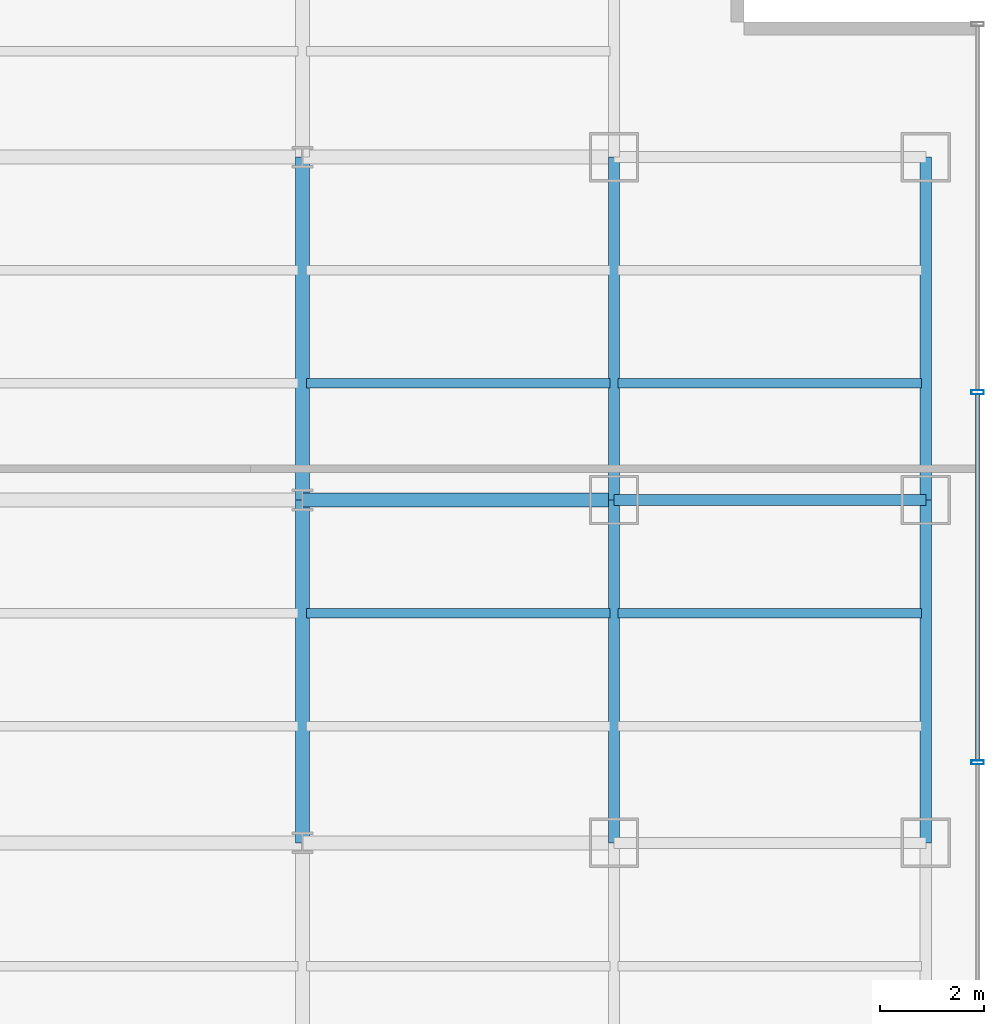
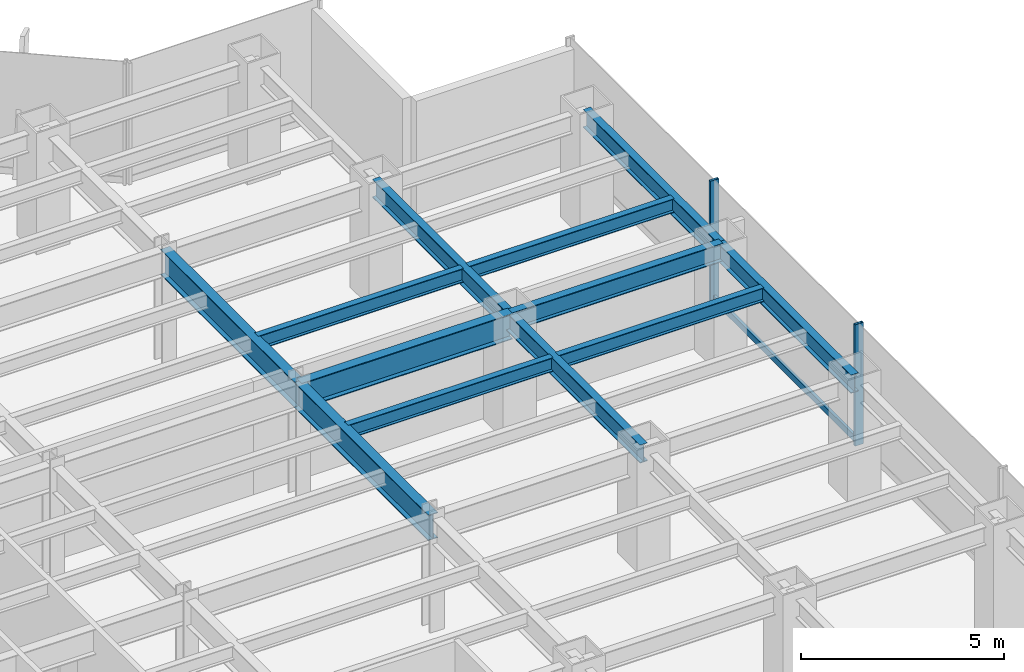
# One storey, part 9 of 22: 12 beams, 3 members, 1 element without a shape of its own.
"""IFC4 building model written with IfcOpenShell, lengths in metres."""

from ifc_helpers import new_model, si_unit, derived_unit, direction, frame, origin, origin_2d, place, context, subcontext, project, spatial, hollow_rectangle, i_section, extrude, source, transform, mapped, material, material_profile, profile_set, type_object, element, aggregate, save


model = new_model("IFC4")

# Units and contexts
model_context = context("Model", 3, precision=1e-05, world=origin(), true_north=direction((0.0, 1.0)))
body_context = subcontext(model_context, "Body", "Model", "MODEL_VIEW")
ifc_project = project(units=[si_unit("LENGTHUNIT", "METRE"), si_unit("AREAUNIT", "SQUARE_METRE"), si_unit("VOLUMEUNIT", "CUBIC_METRE"), si_unit("PLANEANGLEUNIT", "RADIAN"), si_unit("MASSUNIT", "GRAM", prefix="KILO"), derived_unit("THERMALTRANSMITTANCEUNIT", [(si_unit("POWERUNIT", "WATT"), 1), (si_unit("LENGTHUNIT", "METRE"), -2), (si_unit("THERMODYNAMICTEMPERATUREUNIT", "KELVIN"), -1)])], contexts=[model_context])

# Site, building, storey
site_placement = place(None, origin())
site = spatial("IfcSite", under=ifc_project, at=site_placement, CompositionType="ELEMENT")
building_placement = place(site_placement, origin())
building = spatial("IfcBuilding", under=site, at=building_placement, Name="Skarnbrae Concourse Arena and Tower", CompositionType="ELEMENT")
storey_placement = place(building_placement, frame((0.0, 0.0, 36.14990234375)))
storey = spatial("IfcBuildingStorey", under=building, at=storey_placement, Name="L07", CompositionType="ELEMENT", Elevation=36.14990234375)

# Beams
ifc_material_1 = material(Name="Steel CSA G40.21 350W", Category="steel")
ifc_material_profile_1 = material_profile(ifc_material_1, i_section(OverallWidth=0.214111328125, OverallDepth=0.549072265625, WebThickness=0.0146484375, FlangeThickness=0.023681640625, at=origin_2d()), Name="W530X138")
ifc_profile_set_1 = profile_set([ifc_material_profile_1], Name="Steel CSA G40.21 350W")
beam_type_1 = type_object("IfcBeamType", Name="BM-SPAN-W530X138", PredefinedType="SPANDREL", material=ifc_profile_set_1)
shared_shape_1 = source(origin(), body_context, "Body", "SweptSolid", [
    extrude(i_section(OverallWidth=0.214111328125, OverallDepth=0.549072265625, WebThickness=0.0146484375, FlangeThickness=0.023681640625, at=origin_2d()), origin(), (0.0, 0.0, 1.0), 6.0),
])
beam_1_placement = place(storey_placement, frame((55.0, 27.800048828125, 3.12548828125), z_axis=(1.0, 0.0, 0.0), x_axis=(0.0, 1.0, 0.0)))
element("IfcBeam", 1, at=beam_1_placement, inside=storey, type_object=beam_type_1, Name="L07 Perimeter spandrel Y27.8-9", PredefinedType="SPANDREL", context=body_context, shape_type="MappedRepresentation", body=[
    mapped(shared_shape_1, transform((0.0, 0.0, 0.0))),
])
ifc_material_profile_2 = material_profile(ifc_material_1, i_section(OverallWidth=0.26806640625, OverallDepth=0.77001953125, WebThickness=0.015625, FlangeThickness=0.025390625, at=origin_2d()), Name="W760X196")
ifc_profile_set_2 = profile_set([ifc_material_profile_2], Name="Steel CSA G40.21 350W")
beam_type_2 = type_object("IfcBeamType", Name="BM-GIRD-W760X196", PredefinedType="BEAM", material=ifc_profile_set_2)
shared_shape_2 = source(origin(), body_context, "Body", "SweptSolid", [
    extrude(i_section(OverallWidth=0.26806640625, OverallDepth=0.77001953125, WebThickness=0.015625, FlangeThickness=0.025390625, at=origin_2d()), origin(), (0.0, 0.0, 1.0), 6.60009765625),
])
beam_2_placement = place(storey_placement, frame((49.0, 21.199951171875, 3.01513671875), z_axis=(0.0, 1.0, 0.0), x_axis=(-1.0, 0.0, 0.0)))
element("IfcBeam", 2, at=beam_2_placement, inside=storey, type_object=beam_type_2, Name="L07 Primary N-S girder X49.0-3", PredefinedType="BEAM", context=body_context, shape_type="MappedRepresentation", body=[
    mapped(shared_shape_2, transform((0.0, 0.0, 0.0))),
])
shared_shape_3 = source(origin(), body_context, "Body", "SweptSolid", [
    extrude(i_section(OverallWidth=0.26806640625, OverallDepth=0.77001953125, WebThickness=0.015625, FlangeThickness=0.025390625, at=origin_2d()), origin(), (0.0, 0.0, 1.0), 6.0),
])
beam_3_placement = place(storey_placement, frame((49.0, 27.800048828125, 3.01513671875), z_axis=(1.0, 0.0, 0.0), x_axis=(0.0, 1.0, 0.0)))
element("IfcBeam", 3, at=beam_3_placement, inside=storey, type_object=beam_type_2, Name="L07 Primary E-W girder Y27.8-8", PredefinedType="BEAM", context=body_context, shape_type="MappedRepresentation", body=[
    mapped(shared_shape_3, transform((0.0, 0.0, 0.0))),
])
shared_shape_4 = source(origin(), body_context, "Body", "SweptSolid", [
    extrude(i_section(OverallWidth=0.214111328125, OverallDepth=0.549072265625, WebThickness=0.0146484375, FlangeThickness=0.023681640625, at=origin_2d()), origin(), (0.0, 0.0, 1.0), 6.60009765625),
])
for number, where, z_axis, x_axis, name in (
    (4, (55.0, 21.199951171875, 3.12548828125), (0.0, 1.0, 0.0), (-1.0, 0.0, 0.0), "L07 Perimeter spandrel X55.0-3"),
    (5, (61.0, 21.199951171875, 3.12548828125), (0.0, 1.0, 0.0), (-1.0, 0.0, 0.0), "L07 Perimeter spandrel X61.0-3"),
):
    element("IfcBeam", number, at=place(storey_placement, frame(where, z_axis=z_axis, x_axis=x_axis)), inside=storey, type_object=beam_type_1, Name=name, PredefinedType="SPANDREL", context=body_context, shape_type="MappedRepresentation", body=[
        mapped(shared_shape_4, transform((0.0, 0.0, 0.0))),
    ])
shared_shape_5 = source(origin(), body_context, "Body", "SweptSolid", [
    extrude(i_section(OverallWidth=0.214111328125, OverallDepth=0.549072265625, WebThickness=0.0146484375, FlangeThickness=0.023681640625, at=origin_2d()), origin(), (0.0, 0.0, 1.0), 6.599853515625),
])
for number, where, z_axis, x_axis, name in (
    (6, (55.0, 27.800048828125, 3.12548828125), (0.0, 1.0, 0.0), (-1.0, 0.0, 0.0), "L07 Perimeter spandrel X55.0-4"),
    (7, (61.0, 27.800048828125, 3.12548828125), (0.0, 1.0, 0.0), (-1.0, 0.0, 0.0), "L07 Perimeter spandrel X61.0-4"),
):
    element("IfcBeam", number, at=place(storey_placement, frame(where, z_axis=z_axis, x_axis=x_axis)), inside=storey, type_object=beam_type_1, Name=name, PredefinedType="SPANDREL", context=body_context, shape_type="MappedRepresentation", body=[
        mapped(shared_shape_5, transform((0.0, 0.0, 0.0))),
    ])
shared_shape_6 = source(origin(), body_context, "Body", "SweptSolid", [
    extrude(i_section(OverallWidth=0.26806640625, OverallDepth=0.77001953125, WebThickness=0.015625, FlangeThickness=0.025390625, at=origin_2d()), origin(), (0.0, 0.0, 1.0), 6.599853515625),
])
beam_4_placement = place(storey_placement, frame((49.0, 27.800048828125, 3.01513671875), z_axis=(0.0, 1.0, 0.0), x_axis=(-1.0, 0.0, 0.0)))
element("IfcBeam", 8, at=beam_4_placement, inside=storey, type_object=beam_type_2, Name="L07 Primary N-S girder X49.0-4", PredefinedType="BEAM", context=body_context, shape_type="MappedRepresentation", body=[
    mapped(shared_shape_6, transform((0.0, 0.0, 0.0))),
])
ifc_material_profile_3 = material_profile(ifc_material_1, i_section(OverallWidth=0.180908203125, OverallDepth=0.4169921875, WebThickness=0.010986328125, FlangeThickness=0.018310546875, at=origin_2d()), Name="W410X85")
ifc_profile_set_3 = profile_set([ifc_material_profile_3], Name="Steel CSA G40.21 350W")
beam_type_3 = type_object("IfcBeamType", Name="BM-JOIST-W410X85", PredefinedType="JOIST", material=ifc_profile_set_3)
shared_shape_7 = source(origin(), body_context, "Body", "SweptSolid", [
    extrude(i_section(OverallWidth=0.180908203125, OverallDepth=0.4169921875, WebThickness=0.010986328125, FlangeThickness=0.018310546875, at=origin_2d()), origin(), (0.0, 0.0, 1.0), 5.83984375),
])
for number, where, z_axis, x_axis, name in (
    (9, (49.080078125, 25.6220703125, 3.191650390625), (1.0, 0.0, 0.0), (0.0, 1.0, 0.0), "L07 Secondary floor joist 2.2.8"),
    (10, (55.080078125, 25.6220703125, 3.191650390625), (1.0, 0.0, 0.0), (0.0, 1.0, 0.0), "L07 Secondary floor joist 2.2.9"),
    (11, (49.080078125, 30.0439453125, 3.191650390625), (1.0, 0.0, 0.0), (0.0, 1.0, 0.0), "L07 Secondary floor joist 3.1.8"),
    (12, (55.080078125, 30.0439453125, 3.191650390625), (1.0, 0.0, 0.0), (0.0, 1.0, 0.0), "L07 Secondary floor joist 3.1.9"),
):
    element("IfcBeam", number, at=place(storey_placement, frame(where, z_axis=z_axis, x_axis=x_axis)), inside=storey, type_object=beam_type_3, Name=name, PredefinedType="JOIST", context=body_context, shape_type="MappedRepresentation", body=[
        mapped(shared_shape_7, transform((0.0, 0.0, 0.0))),
    ])

# Curtain wall, members
ifc_material_2 = material(Name="Bronze anodised aluminium 6063-T6", Category="aluminium")
curtain_wall_type = type_object("IfcCurtainWallType", Name="CW-SYS-02-LOWZONE", PredefinedType="USERDEFINED", material=ifc_material_2)
curtain_wall_placement = place(storey_placement, origin())
curtain_wall = element("IfcCurtainWall", 13, at=curtain_wall_placement, inside=storey, type_object=curtain_wall_type, Name="L07 Unitised curtain wall CW-L07-E04", ObjectType="UNITISED CURTAIN WALL", PredefinedType="USERDEFINED")
ifc_material_profile_4 = material_profile(ifc_material_2, hollow_rectangle(XDim=0.080078125, YDim=0.18994140625, WallThickness=0.0048828125, at=origin_2d()), Name="ALU-TRAN-80X190")
ifc_profile_set_4 = profile_set([ifc_material_profile_4], Name="Bronze anodised aluminium 6063-T6")
member_type_1 = type_object("IfcMemberType", Name="CWT-CW-02", PredefinedType="USERDEFINED", material=ifc_profile_set_4)
shared_shape_8 = source(origin(), body_context, "Body", "SweptSolid", [
    extrude(hollow_rectangle(XDim=0.080078125, YDim=0.18994140625, WallThickness=0.0048828125, at=origin_2d()), origin(), (0.0, 0.0, 1.0), 7.044921875),
])
member_1_placement = place(storey_placement, frame((62.0, 22.7900390625, 0.09521484375), z_axis=(0.0, 1.0, 0.0), x_axis=(-1.0, 0.0, 0.0)))
member_1 = element("IfcMember", 14, at=member_1_placement, type_object=member_type_1, Name="CW-L07-E04 Transom 3", ObjectType="TRANSOM", PredefinedType="USERDEFINED", context=body_context, shape_type="MappedRepresentation", body=[
    mapped(shared_shape_8, transform((0.0, 0.0, 0.0))),
])
ifc_material_profile_5 = material_profile(ifc_material_2, hollow_rectangle(XDim=0.080078125, YDim=0.239990234375, WallThickness=0.0048828125, at=origin_2d()), Name="ALU-MULL-80X240")
ifc_profile_set_5 = profile_set([ifc_material_profile_5], Name="Bronze anodised aluminium 6063-T6")
member_type_2 = type_object("IfcMemberType", Name="CWM-CW-02", PredefinedType="MULLION", material=ifc_profile_set_5)
shared_shape_9 = source(origin(), body_context, "Body", "SweptSolid", [
    extrude(hollow_rectangle(XDim=0.080078125, YDim=0.239990234375, WallThickness=0.0048828125, at=origin_2d()), origin(), (0.0, 0.0, 1.0), 3.650146484375),
])
member_2_placement = place(storey_placement, frame((62.0, 22.75, 0.0), z_axis=(0.0, 0.0, 1.0), x_axis=(0.0, 1.0, 0.0)))
member_2 = element("IfcMember", 15, at=member_2_placement, type_object=member_type_2, Name="CW-L07-E04 Mullion 3", PredefinedType="MULLION", context=body_context, shape_type="MappedRepresentation", body=[
    mapped(shared_shape_9, transform((0.0, 0.0, 0.0))),
])
member_3_placement = place(storey_placement, frame((62.0, 29.875, 0.0), z_axis=(0.0, 0.0, 1.0), x_axis=(0.0, 1.0, 0.0)))
member_3 = element("IfcMember", 16, at=member_3_placement, type_object=member_type_2, Name="CW-L07-E04 Mullion 4", PredefinedType="MULLION", context=body_context, shape_type="MappedRepresentation", body=[
    mapped(shared_shape_9, transform((0.0, 0.0, 0.0))),
])
aggregate(curtain_wall, [member_2, member_3, member_1])

save(model, "model.ifc")
